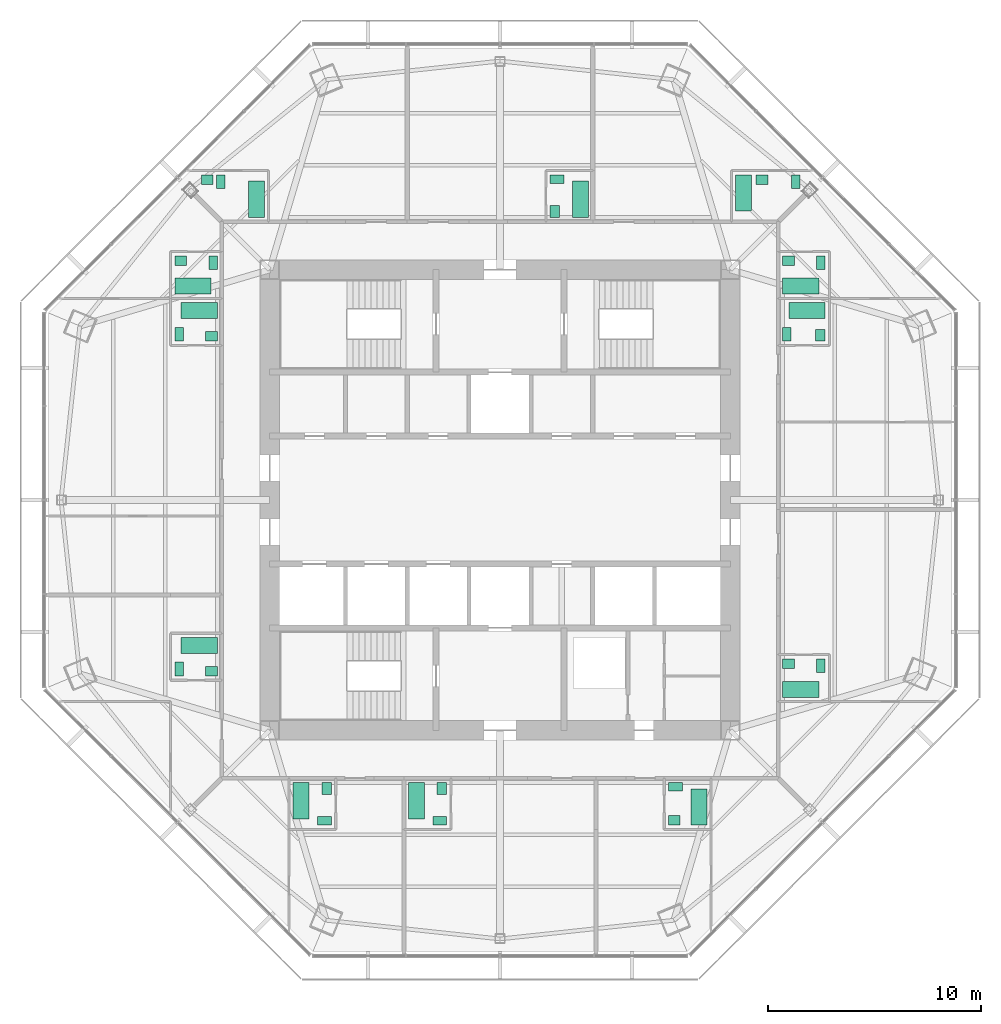
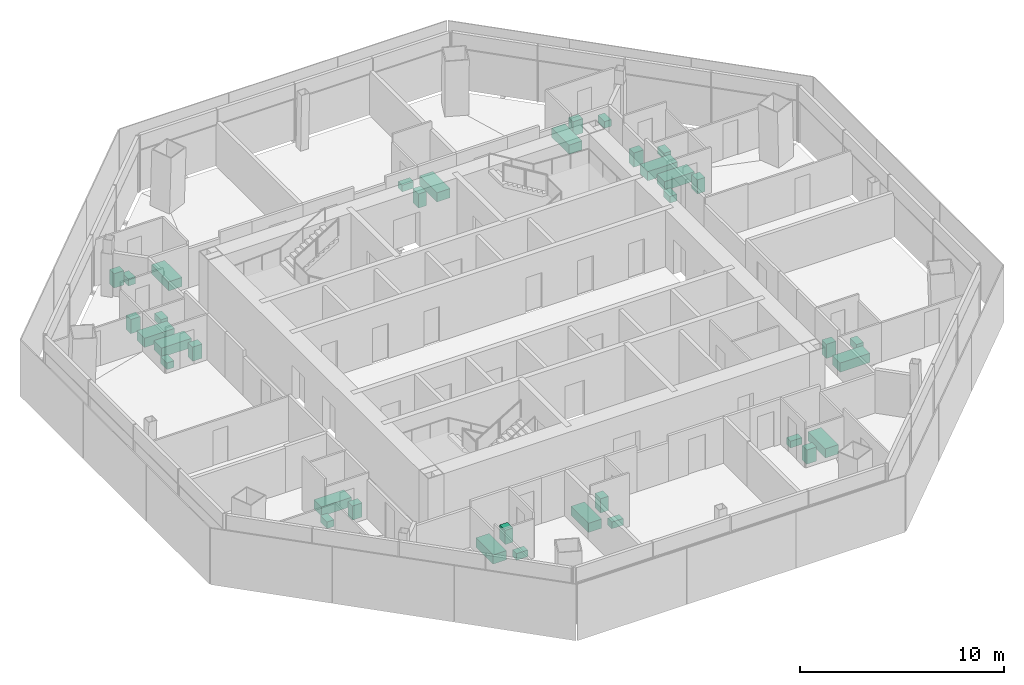
# One storey, part 15 of 15: 36 sanitary terminals.
"""IFC4 building model written with IfcOpenShell, lengths in metres."""

from ifc_helpers import new_model, si_unit, direction, frame, origin, origin_2d, place, context, subcontext, project, spatial, rectangle, extrude, material, type_object, element, save


model = new_model("IFC4")

# Units and contexts
model_context = context("Model", 3, precision=1e-05, world=origin(), true_north=direction((0.0, 1.0)))
body_context = subcontext(model_context, "Body", "Model", "MODEL_VIEW")
ifc_project = project(units=[si_unit("LENGTHUNIT", "METRE"), si_unit("AREAUNIT", "SQUARE_METRE"), si_unit("VOLUMEUNIT", "CUBIC_METRE"), si_unit("PLANEANGLEUNIT", "RADIAN"), si_unit("MASSUNIT", "GRAM", prefix="KILO")], contexts=[model_context])

# Site, building, storey
site_placement = place(None, origin())
site = spatial("IfcSite", under=ifc_project, at=site_placement, CompositionType="ELEMENT")
building_placement = place(site_placement, origin())
building = spatial("IfcBuilding", under=site, at=building_placement, Name="Mashrafa Tower", CompositionType="ELEMENT")
storey_placement = place(building_placement, frame((0.0, 0.0, 234.60009765625)))
storey = spatial("IfcBuildingStorey", under=building, at=storey_placement, Name="L55", CompositionType="ELEMENT", Elevation=234.60009765625)

# Sanitary terminals
ifc_material_1 = material(Name="Enamelled steel", Category="steel")
sanitary_terminal_type_1 = type_object("IfcSanitaryTerminalType", Name="Bath 1700 x 750", PredefinedType="BATH", material=ifc_material_1)
for number, where, z_axis, x_axis, name in (
    (1, (14.10009765625, -8.875, 0.0), (0.0, 0.0, 1.0), (1.0, 0.0, 0.0), "Bath Apartment 5501 Bathroom"),
    (2, (14.10009765625, 10.02490234375, 0.0), (0.0, 0.0, 1.0), (1.0, 0.0, 0.0), "Bath Apartment 5502 En-suite Bathroom"),
    (3, (14.39990234375, 8.875, 0.0), (0.0, 0.0, 1.0), (-1.0, 0.0, 0.0), "Bath Apartment 5502 Bathroom"),
    (4, (11.425048828125, 14.39990234375, 0.0), (0.0, 0.0, 1.0), (0.0, -1.0, 0.0), "Bath Apartment 5503 Bathroom"),
    (5, (3.77490234375, 14.10009765625, 0.0), (0.0, 0.0, 1.0), (0.0, 1.0, 0.0), "Bath Apartment 5504 Bathroom"),
    (6, (-11.425048828125, 14.10009765625, 0.0), (0.0, 0.0, 1.0), (0.0, 1.0, 0.0), "Bath Apartment 5505 Bathroom"),
    (7, (-14.39990234375, 10.02490234375, 0.0), (0.0, 0.0, 1.0), (1.0, 0.0, 0.0), "Bath Apartment 5506 En-suite Bathroom"),
    (8, (-14.10009765625, 8.875, 0.0), (0.0, 0.0, 1.0), (-1.0, 0.0, 0.0), "Bath Apartment 5506 Bathroom"),
    (9, (-14.10009765625, -6.824951171875, 0.0), (0.0, 0.0, 1.0), (-1.0, 0.0, 0.0), "Bath Apartment 5507 Bathroom"),
    (10, (-9.324951171875, -14.10009765625, 0.0), (0.0, 0.0, 1.0), (0.0, -1.0, 0.0), "Bath Apartment 5508 Bathroom"),
    (11, (-3.925048828125, -14.10009765625, 0.0), (0.0, 0.0, 1.0), (0.0, -1.0, 0.0), "Bath Apartment 5509 Bathroom"),
    (12, (9.324951171875, -14.39990234375, 0.0), (0.0, 0.0, 1.0), (0.0, 1.0, 0.0), "Bath Apartment 5510 Bathroom"),
):
    element("IfcSanitaryTerminal", number, at=place(storey_placement, frame(where, z_axis=z_axis, x_axis=x_axis)), inside=storey, type_object=sanitary_terminal_type_1, Name=name, PredefinedType="BATH", context=body_context, shape_type="SweptSolid", body=[
        extrude(rectangle(XDim=1.699951171875, YDim=0.75, at=origin_2d()), origin(), (0.0, 0.0, 1.0), 0.550048828125),
    ])
ifc_material_2 = material(Name="Vitreous china")
sanitary_terminal_type_2 = type_object("IfcSanitaryTerminalType", Name="Toilet pan 400 x 650", PredefinedType="TOILETPAN", material=ifc_material_2)
for number, where, z_axis, x_axis, name in (
    (13, (15.050048828125, -7.77490234375, 0.0), (0.0, 0.0, 1.0), (-1.0, 0.0, 0.0), "Toilet pan Apartment 5501 Bathroom"),
    (14, (15.050048828125, 11.125, 0.0), (0.0, 0.0, 1.0), (-1.0, 0.0, 0.0), "Toilet pan Apartment 5502 En-suite Bathroom"),
    (15, (13.449951171875, 7.77490234375, 0.0), (0.0, 0.0, 1.0), (1.0, 0.0, 0.0), "Toilet pan Apartment 5502 Bathroom"),
    (16, (13.864013671875, 14.925048828125, 0.0), (0.0, 0.0, 1.0), (-1.0, 0.0, 0.0), "Toilet pan Apartment 5503 Bathroom"),
    (17, (2.675048828125, 15.050048828125, 0.0), (0.0, 0.0, 1.0), (0.0, -1.0, 0.0), "Toilet pan Apartment 5504 Bathroom"),
    (18, (-13.10009765625, 14.925048828125, 0.0), (0.0, 0.0, 1.0), (-1.0, 0.0, 0.0), "Toilet pan Apartment 5505 Bathroom"),
    (19, (-13.449951171875, 11.125, 0.0), (0.0, 0.0, 1.0), (-1.0, 0.0, 0.0), "Toilet pan Apartment 5506 En-suite Bathroom"),
    (20, (-15.050048828125, 7.77490234375, 0.0), (0.0, 0.0, 1.0), (1.0, 0.0, 0.0), "Toilet pan Apartment 5506 Bathroom"),
    (21, (-15.050048828125, -7.925048828125, 0.0), (0.0, 0.0, 1.0), (1.0, 0.0, 0.0), "Toilet pan Apartment 5507 Bathroom"),
    (22, (-8.22509765625, -15.050048828125, 0.0), (0.0, 0.0, 1.0), (0.0, 1.0, 0.0), "Toilet pan Apartment 5508 Bathroom"),
    (23, (-2.824951171875, -15.050048828125, 0.0), (0.0, 0.0, 1.0), (0.0, 1.0, 0.0), "Toilet pan Apartment 5509 Bathroom"),
    (24, (8.22509765625, -13.449951171875, 0.0), (0.0, 0.0, 1.0), (0.0, -1.0, 0.0), "Toilet pan Apartment 5510 Bathroom"),
):
    element("IfcSanitaryTerminal", number, at=place(storey_placement, frame(where, z_axis=z_axis, x_axis=x_axis)), inside=storey, type_object=sanitary_terminal_type_2, Name=name, PredefinedType="TOILETPAN", context=body_context, shape_type="SweptSolid", body=[
        extrude(rectangle(XDim=0.39990234375, YDim=0.64990234375, at=origin_2d()), origin(), (0.0, 0.0, 1.0), 0.39990234375),
    ])
ifc_material_3 = material(Name="Vitreous china")
sanitary_terminal_type_3 = type_object("IfcSanitaryTerminalType", Name="Wash basin 550 x 450", PredefinedType="WASHHANDBASIN", material=ifc_material_3)
for number, where, z_axis, x_axis, name in (
    (25, (13.52490234375, -7.675048828125, -0.000244140625), (0.0, 0.0, 1.0), (-1.0, 0.0, 0.0), "Wash basin Apartment 5501 Bathroom"),
    (26, (13.52490234375, 11.22509765625, -0.000244140625), (0.0, 0.0, 1.0), (-1.0, 0.0, 0.0), "Wash basin Apartment 5502 En-suite Bathroom"),
    (27, (15.02490234375, 7.72509765625, -0.000244140625), (0.0, 0.0, 1.0), (0.0, 1.0, 0.0), "Wash basin Apartment 5502 Bathroom"),
    (28, (12.2890625, 15.02490234375, -0.000244140625), (0.0, 0.0, 1.0), (-1.0, 0.0, 0.0), "Wash basin Apartment 5503 Bathroom"),
    (29, (2.574951171875, 13.52490234375, -0.000244140625), (0.0, 0.0, 1.0), (0.0, -1.0, 0.0), "Wash basin Apartment 5504 Bathroom"),
    (30, (-13.72509765625, 15.02490234375, -0.000244140625), (0.0, 0.0, 1.0), (-1.0, 0.0, 0.0), "Wash basin Apartment 5505 Bathroom"),
    (31, (-14.97509765625, 11.22509765625, -0.000244140625), (0.0, 0.0, 1.0), (-1.0, 0.0, 0.0), "Wash basin Apartment 5506 En-suite Bathroom"),
    (32, (-13.52490234375, 7.675048828125, -0.000244140625), (0.0, 0.0, 1.0), (1.0, 0.0, 0.0), "Wash basin Apartment 5506 Bathroom"),
    (33, (-13.52490234375, -8.02490234375, -0.000244140625), (0.0, 0.0, 1.0), (1.0, 0.0, 0.0), "Wash basin Apartment 5507 Bathroom"),
    (34, (-8.125, -13.52490234375, -0.000244140625), (0.0, 0.0, 1.0), (0.0, 1.0, 0.0), "Wash basin Apartment 5508 Bathroom"),
    (35, (-2.72509765625, -13.52490234375, -0.000244140625), (0.0, 0.0, 1.0), (0.0, 1.0, 0.0), "Wash basin Apartment 5509 Bathroom"),
    (36, (8.175048828125, -15.02490234375, -0.000244140625), (0.0, 0.0, 1.0), (1.0, 0.0, 0.0), "Wash basin Apartment 5510 Bathroom"),
):
    element("IfcSanitaryTerminal", number, at=place(storey_placement, frame(where, z_axis=z_axis, x_axis=x_axis)), inside=storey, type_object=sanitary_terminal_type_3, Name=name, PredefinedType="WASHHANDBASIN", context=body_context, shape_type="SweptSolid", body=[
        extrude(rectangle(XDim=0.550048828125, YDim=0.449951171875, at=origin_2d()), origin(), (0.0, 0.0, 1.0), 0.85009765625),
    ])

save(model, "model.ifc")
